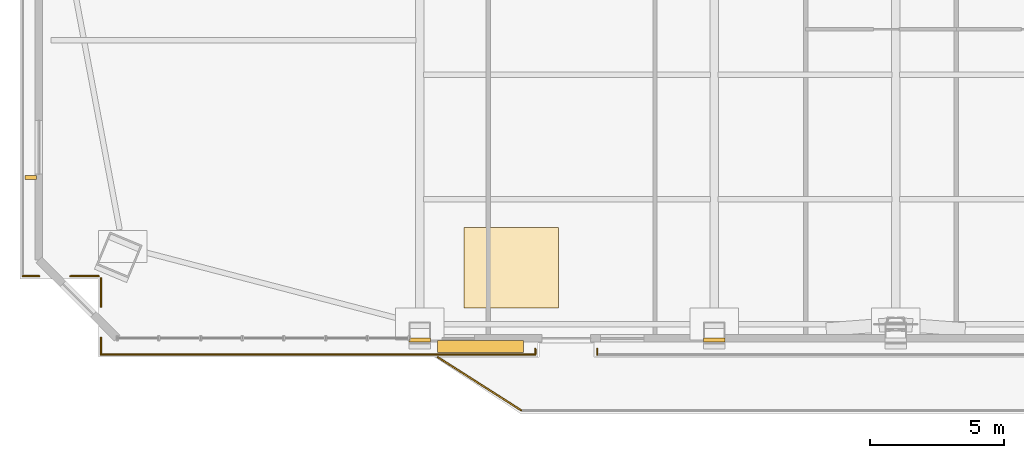
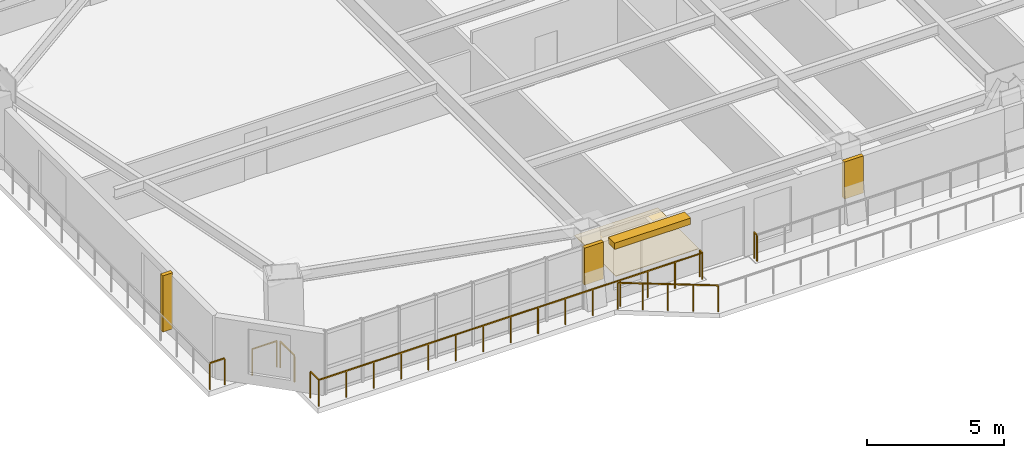
# One storey, part 12 of 16: 8 railings, 3 coverings, 2 shading devices.
"""IFC4 building model written with IfcOpenShell, lengths in metres."""

import ifcopenshell
import ifcopenshell.guid

model = None  # the IFC model being written
_history = None  # IfcOwnerHistory: only IFC2X3 demands one
_inside = {}  # id of a spatial element -> (the spatial element, [elements in it])
_under = {}  # id of a project, library or spatial element -> (it, [spatial elements below it])
_declared = {}  # id of a project -> (the project, [libraries it declares])
_typed = {}  # id of a type object -> (the type object, [elements of that type])
_made_of = {}  # id of a material, layer set ... -> (it, [elements and type objects made of it])


def new_model(schema):
    """Start an empty IFC model of exactly this schema.

    Asked for "IFC4X3", IfcOpenShell would pick the latest addendum, in which some entities
    have other attributes; the version numbers below select the first issue.
    IFC2X3 requires an IfcOwnerHistory on every rooted entity: one is made here for all.
    """
    global model, _history
    if schema == "IFC4X3":
        model = ifcopenshell.file(schema_version=(4, 3, 0, 0))
    else:
        model = ifcopenshell.file(schema=schema)
    _inside.clear()
    _under.clear()
    _declared.clear()
    _typed.clear()
    _made_of.clear()
    _history = None
    if model.schema == "IFC2X3":
        org = make("IfcOrganization", Name="unknown")
        user = make(
            "IfcPersonAndOrganization",
            ThePerson=make("IfcPerson", FamilyName="unknown"),
            TheOrganization=org,
        )
        app = make(
            "IfcApplication",
            ApplicationDeveloper=org,
            Version="unknown",
            ApplicationFullName="unknown",
            ApplicationIdentifier="unknown",
        )
        _history = make(
            "IfcOwnerHistory",
            OwningUser=user,
            OwningApplication=app,
            ChangeAction="ADDED",
            CreationDate=0,
        )
    return model


def make(cls, **values):
    """One entity of the class cls with the attributes given. An attribute that is None is left unset."""
    return model.create_entity(
        cls, **{name: value for name, value in values.items() if value is not None}
    )


def rooted(cls, **values):
    """An entity with a GlobalId (a new one), such as an element, a storey or a relation."""
    return make(cls, GlobalId=ifcopenshell.guid.new(), OwnerHistory=_history, **values)


def si_unit(unit_type, name, prefix=None):
    """IfcSIUnit, for example si_unit("LENGTHUNIT", "METRE", prefix="MILLI")."""
    return make("IfcSIUnit", UnitType=unit_type, Prefix=prefix, Name=name)


def assignment(units):
    """IfcUnitAssignment: the units of a project."""
    return None if units is None else make("IfcUnitAssignment", Units=units)


def point(xyz):
    """IfcCartesianPoint."""
    return None if xyz is None else make("IfcCartesianPoint", Coordinates=xyz)


def direction(xyz):
    """IfcDirection."""
    return None if xyz is None else make("IfcDirection", DirectionRatios=xyz)


def frame(location, z_axis=None, x_axis=None):
    """IfcAxis2Placement3D, a coordinate frame: its origin and axes. An axis left out is left unset."""
    return make(
        "IfcAxis2Placement3D",
        Location=point(location),
        Axis=direction(z_axis),
        RefDirection=direction(x_axis),
    )


def frame_2d(location, x_axis=None):
    """IfcAxis2Placement2D, a coordinate frame in the plane: its origin and x axis."""
    return make(
        "IfcAxis2Placement2D", Location=point(location), RefDirection=direction(x_axis)
    )


def origin():
    """The frame at (0, 0, 0) with its axes left unset."""
    return frame((0.0, 0.0, 0.0))


def origin_2d():
    """The frame at (0, 0) in the plane with its x axis left unset."""
    return frame_2d((0.0, 0.0))


def place(relative_to, where):
    """IfcLocalPlacement: puts the frame where relative to a parent placement (None: the world)."""
    return make(
        "IfcLocalPlacement", PlacementRelTo=relative_to, RelativePlacement=where
    )


def context(
    kind, dimensions, precision=None, world=None, true_north=None, identifier=None
):
    """IfcGeometricRepresentationContext, for example the 3D "Model" context."""
    return make(
        "IfcGeometricRepresentationContext",
        ContextIdentifier=identifier,
        ContextType=kind,
        CoordinateSpaceDimension=dimensions,
        Precision=precision,
        WorldCoordinateSystem=world,
        TrueNorth=true_north,
    )


def subcontext(parent, identifier, kind, view, scale=None):
    """IfcGeometricRepresentationSubContext, for example "Body" below "Model"."""
    return make(
        "IfcGeometricRepresentationSubContext",
        ContextIdentifier=identifier,
        ContextType=kind,
        ParentContext=parent,
        TargetScale=scale,
        TargetView=view,
    )


def project(units=None, contexts=None):
    """IfcProject with its units and contexts."""
    return rooted(
        "IfcProject",
        Name="project",
        RepresentationContexts=contexts,
        UnitsInContext=assignment(units),
    )


def spatial(cls, under=None, at=None, **own):
    """A site, building, storey or space (cls), placed at a placement, below another one or the project."""
    s = rooted(cls, ObjectPlacement=at, **own)
    if under is not None:
        _under.setdefault(under.id(), (under, []))[1].append(s)
    return s


def polyline(points):
    """IfcPolyline through the points."""
    return make("IfcPolyline", Points=[point(p) for p in points])


def profile(cls, at=None, kind="AREA", **sizes):
    """A parametric profile (cls). Its sizes go by their IFC names, for example OverallWidth=200.0."""
    return make(cls, ProfileType=kind, Position=at, **sizes)


def rectangle(**sizes):
    """IfcRectangleProfileDef."""
    return profile("IfcRectangleProfileDef", **sizes)


def outline(outer, holes=None, kind="AREA"):
    """IfcArbitraryClosedProfileDef: a profile drawn as a closed curve; with holes, ...WithVoids."""
    if holes is None:
        return make("IfcArbitraryClosedProfileDef", ProfileType=kind, OuterCurve=outer)
    return make(
        "IfcArbitraryProfileDefWithVoids",
        ProfileType=kind,
        OuterCurve=outer,
        InnerCurves=holes,
    )


def extrude(swept, where, along, depth):
    """IfcExtrudedAreaSolid: the profile swept, set in the frame where, extruded along a direction by depth."""
    return make(
        "IfcExtrudedAreaSolid",
        SweptArea=swept,
        Position=where,
        ExtrudedDirection=direction(along),
        Depth=depth,
    )


def shape(context_of_items, identifier, shape_type, items):
    """IfcShapeRepresentation: the items that make up one representation, for example the "Body"."""
    return make(
        "IfcShapeRepresentation",
        ContextOfItems=context_of_items,
        RepresentationIdentifier=identifier,
        RepresentationType=shape_type,
        Items=items,
    )


def source(mapping_origin, context_of_items, identifier, shape_type, items):
    """IfcRepresentationMap: a shape defined once, which mapped items show again and again."""
    return make(
        "IfcRepresentationMap",
        MappingOrigin=mapping_origin,
        MappedRepresentation=shape(context_of_items, identifier, shape_type, items),
    )


def transform(
    local_origin,
    x_axis=None,
    y_axis=None,
    z_axis=None,
    scale=None,
    scale2=None,
    scale3=None,
    uniform=True,
):
    """IfcCartesianTransformationOperator3D, or its non-uniform kind. x_axis, y_axis, z_axis: its Axis1, 2, 3."""
    if uniform:
        return make(
            "IfcCartesianTransformationOperator3D",
            Axis1=direction(x_axis),
            Axis2=direction(y_axis),
            LocalOrigin=point(local_origin),
            Scale=scale,
            Axis3=direction(z_axis),
        )
    return make(
        "IfcCartesianTransformationOperator3DnonUniform",
        Axis1=direction(x_axis),
        Axis2=direction(y_axis),
        LocalOrigin=point(local_origin),
        Scale=scale,
        Axis3=direction(z_axis),
        Scale2=scale2,
        Scale3=scale3,
    )


def mapped(mapping_source, mapping_target):
    """IfcMappedItem: shows the shape of a source again, moved by a transform."""
    return make(
        "IfcMappedItem", MappingSource=mapping_source, MappingTarget=mapping_target
    )


def material(Name=None, Category=None):
    """IfcMaterial."""
    return make("IfcMaterial", Name=Name, Category=Category)


def layer(
    of_material, thickness, ventilated=None, Name=None, Category=None, Priority=None
):
    """IfcMaterialLayer: one layer of a wall or slab, of a material (None: an air gap)."""
    return make(
        "IfcMaterialLayer",
        Material=of_material,
        LayerThickness=thickness,
        IsVentilated=ventilated,
        Name=Name,
        Category=Category,
        Priority=Priority,
    )


def layer_set(layers, Name=None):
    """IfcMaterialLayerSet."""
    return make("IfcMaterialLayerSet", MaterialLayers=layers, LayerSetName=Name)


def made_of(thing, what):
    """Note that an element or type object is made of a material, layer set ...; save() writes the relation."""
    if what is not None:
        _made_of.setdefault(what.id(), (what, []))[1].append(thing)
    return thing


def type_object(cls, material=None, **own):
    """A type object (cls), such as IfcWallType, which elements share."""
    return made_of(rooted(cls, **own), material)


def element(
    cls,
    number,
    at=None,
    inside=None,
    cuts=None,
    type_object=None,
    material=None,
    context=None,
    identifier="Body",
    shape_type=None,
    held_by="IfcProductDefinitionShape",
    body=None,
    shapes=None,
    **own,
):
    """One element of the class cls, such as IfcWall. Its Tag is "e" and its number.

    at: its placement. inside: the storey or other place that contains it. cuts: it is an
    opening in that element (IfcRelVoidsElement). A single representation is given by context,
    identifier, shape_type and body (its items); several are given by shapes. held_by: the class
    of the entity that holds the representations. save() writes the other relations.
    """
    e = rooted(cls, Tag="e%d" % number, ObjectPlacement=at, **own)
    if body is not None:
        shapes = [shape(context, identifier, shape_type, body)]
    if shapes is not None:
        e.Representation = make(held_by, Representations=shapes)
    if inside is not None:
        _inside.setdefault(inside.id(), (inside, []))[1].append(e)
    if cuts is not None:
        rooted(
            "IfcRelVoidsElement", RelatingBuildingElement=cuts, RelatedOpeningElement=e
        )
    if type_object is not None:
        _typed.setdefault(type_object.id(), (type_object, []))[1].append(e)
    return made_of(e, material)


def aggregate(whole, parts):
    """IfcRelAggregates: a whole, such as a stair, and the parts it consists of."""
    return rooted("IfcRelAggregates", RelatingObject=whole, RelatedObjects=parts)


def save(model, path):
    """Write the relations noted so far, then the file.

    IfcRelAggregates (storeys below a building ...), IfcRelContainedInSpatialStructure (elements
    in a storey), IfcRelDefinesByType, IfcRelAssociatesMaterial and IfcRelDeclares: one each for
    every whole, place, type object, material and project.
    """
    for whole, parts in _under.values():
        aggregate(whole, parts)
    for where, things in _inside.values():
        rooted(
            "IfcRelContainedInSpatialStructure",
            RelatedElements=things,
            RelatingStructure=where,
        )
    for kind, things in _typed.values():
        rooted("IfcRelDefinesByType", RelatedObjects=things, RelatingType=kind)
    for what, things in _made_of.values():
        rooted("IfcRelAssociatesMaterial", RelatedObjects=things, RelatingMaterial=what)
    for by, libraries in _declared.values():
        rooted("IfcRelDeclares", RelatingContext=by, RelatedDefinitions=libraries)
    model.write(path)


model = new_model("IFC4")

# Units and contexts
model_context = context("Model", 3, precision=1e-05, world=origin(), true_north=direction((0.0, 1.0)))
body_context = subcontext(model_context, "Body", "Model", "MODEL_VIEW")
ifc_project = project(units=[si_unit("LENGTHUNIT", "METRE"), si_unit("AREAUNIT", "SQUARE_METRE"), si_unit("VOLUMEUNIT", "CUBIC_METRE"), si_unit("PLANEANGLEUNIT", "RADIAN"), si_unit("MASSUNIT", "GRAM", prefix="KILO")], contexts=[model_context])

# Site, building, storey
site_placement = place(None, origin())
site = spatial("IfcSite", under=ifc_project, at=site_placement, CompositionType="ELEMENT")
building_placement = place(site_placement, origin())
building = spatial("IfcBuilding", under=site, at=building_placement, Name="Giltprow Tower", CompositionType="ELEMENT")
storey_placement = place(building_placement, frame((0.0, 0.0, 166.699951171875)))
storey = spatial("IfcBuildingStorey", under=building, at=storey_placement, Name="L41", CompositionType="ELEMENT", Elevation=166.699951171875)

# Coverings
ifc_material_1 = material(Name="Engineered oak", Category="wood")
ifc_layer_1 = layer(ifc_material_1, 0.02490234375, Name="Engineered oak")
ifc_layer_set_1 = layer_set([ifc_layer_1], Name="Engineered oak")
covering_type_1 = type_object("IfcCoveringType", Name="COV-FLR-TIMBER", PredefinedType="FLOORING", material=ifc_layer_set_1)
covering_1_placement = place(storey_placement, origin())
element("IfcCovering", 1, at=covering_1_placement, inside=storey, type_object=covering_type_1, Name="L41 Engineered Oak Guestroom Flooring", PredefinedType="FLOORING", context=body_context, shape_type="SweptSolid", body=[
    extrude(outline(polyline([(21.5, 10.22607421875), (25.0, 10.22607421875), (25.0, 13.22607421875), (21.5, 13.22607421875), (21.5, 10.22607421875)])), origin(), (0.0, 0.0, 1.0), 0.025146484375),
])
ifc_material_2 = material(Name="Anodized bronze", Category="metal")
ifc_layer_2 = layer(ifc_material_2, 0.0400390625, Name="Anodized bronze")
ifc_layer_set_2 = layer_set([ifc_layer_2], Name="Anodized bronze")
covering_type_2 = type_object("IfcCoveringType", Name="COV-SOFFIT-BRONZE", PredefinedType="CLADDING", material=ifc_layer_set_2)
covering_2_placement = place(storey_placement, frame((0.0, 0.0, 1.10009765625)))
element("IfcCovering", 2, at=covering_2_placement, inside=storey, type_object=covering_type_2, Name="L41 Setback Pier Closure Cladding S-1", PredefinedType="CLADDING", context=body_context, shape_type="SweptSolid", body=[
    extrude(outline(polyline([(19.449951171875, 8.9580078125), (20.25, 8.9580078125), (20.25, 9.117919921875), (19.449951171875, 9.117919921875), (19.449951171875, 8.9580078125)])), origin(), (0.0, 0.0, 1.0), 1.64990234375),
])
covering_3_placement = place(storey_placement, frame((0.0, 0.0, 1.10009765625)))
element("IfcCovering", 3, at=covering_3_placement, inside=storey, type_object=covering_type_2, Name="L41 Setback Pier Closure Cladding S-2", PredefinedType="CLADDING", context=body_context, shape_type="SweptSolid", body=[
    extrude(outline(polyline([(30.39990234375, 8.9580078125), (31.199951171875, 8.9580078125), (31.199951171875, 9.117919921875), (30.39990234375, 9.117919921875), (30.39990234375, 8.9580078125)])), origin(), (0.0, 0.0, 1.0), 1.64990234375),
])

# Railings
railing_type = type_object("IfcRailingType", Name="RAIL-BALC-GUARD-1200", PredefinedType="BALUSTRADE", material=ifc_material_2)
railing_1_placement = place(storey_placement, frame((20.52001953125, 8.39794921875, 0.0)))
element("IfcRailing", 4, at=railing_1_placement, inside=storey, type_object=railing_type, Name="L41 Waterfront Balcony Balustrade Seg 1", PredefinedType="BALUSTRADE", context=body_context, shape_type="SweptSolid", body=[
    extrude(rectangle(XDim=0.048095703125, YDim=0.048095703125, at=origin_2d()), frame((0.0, 0.0, 1.17578125), z_axis=(0.84277487735, -0.538266203757, 0.0), x_axis=(0.538266203757, 0.84277487735, 0.0)), (0.0, 0.0, 1.0), 3.678466796875),
    extrude(rectangle(XDim=0.0419921875, YDim=0.0419921875, at=origin_2d()), origin(), (0.0, 0.0, 1.0), 1.15185546875),
    extrude(rectangle(XDim=0.0419921875, YDim=0.0419921875, at=origin_2d()), frame((0.77490234375, -0.4951171875, 0.0)), (0.0, 0.0, 1.0), 1.15185546875),
    extrude(rectangle(XDim=0.0419921875, YDim=0.0419921875, at=origin_2d()), frame((1.550048828125, -0.989990234375, 0.0)), (0.0, 0.0, 1.0), 1.15185546875),
    extrude(rectangle(XDim=0.0419921875, YDim=0.0419921875, at=origin_2d()), frame((2.3251953125, -1.48486328125, 0.0)), (0.0, 0.0, 1.0), 1.15185546875),
    extrude(rectangle(XDim=0.0419921875, YDim=0.0419921875, at=origin_2d()), frame((3.10009765625, -1.97998046875, 0.0)), (0.0, 0.0, 1.0), 1.15185546875),
])
railing_2_placement = place(storey_placement, frame((7.9970703125, 8.498046875, 0.0)))
element("IfcRailing", 5, at=railing_2_placement, inside=storey, type_object=railing_type, Name="L41 Corner Apron Edge Balustrade 1", PredefinedType="BALUSTRADE", context=body_context, shape_type="SweptSolid", body=[
    extrude(rectangle(XDim=0.048095703125, YDim=0.048095703125, at=origin_2d()), frame((0.0, 0.0, 1.17578125), z_axis=(0.0, 1.0, 0.0), x_axis=(-1.0, 0.0, 0.0)), (0.0, 0.0, 1.0), 0.619873046875),
    extrude(rectangle(XDim=0.0419921875, YDim=0.0419921875, at=origin_2d()), origin(), (0.0, 0.0, 1.0), 1.15185546875),
    extrude(rectangle(XDim=0.0419921875, YDim=0.0419921875, at=origin_2d()), frame((0.0, 0.619873046875, 0.0)), (0.0, 0.0, 1.0), 1.15185546875),
])
railing_3_placement = place(storey_placement, frame((7.9970703125, 10.278076171875, 0.0)))
element("IfcRailing", 6, at=railing_3_placement, inside=storey, type_object=railing_type, Name="L41 Corner Apron Edge Balustrade 2", PredefinedType="BALUSTRADE", context=body_context, shape_type="SweptSolid", body=[
    extrude(rectangle(XDim=0.048095703125, YDim=0.048095703125, at=origin_2d()), frame((0.0, 0.0, 1.17578125), z_axis=(0.0, 1.0, 0.0), x_axis=(-1.0, 0.0, 0.0)), (0.0, 0.0, 1.0), 1.0478515625),
    extrude(rectangle(XDim=0.0419921875, YDim=0.0419921875, at=origin_2d()), origin(), (0.0, 0.0, 1.0), 1.15185546875),
    extrude(rectangle(XDim=0.0419921875, YDim=0.0419921875, at=origin_2d()), frame((0.0, 1.0478515625, 0.0)), (0.0, 0.0, 1.0), 1.15185546875),
])
railing_4_placement = place(storey_placement, frame((7.912109375, 11.410888671875, 0.0)))
element("IfcRailing", 7, at=railing_4_placement, inside=storey, type_object=railing_type, Name="L41 Corner Apron Edge Balustrade 3", PredefinedType="BALUSTRADE", context=body_context, shape_type="SweptSolid", body=[
    extrude(rectangle(XDim=0.048095703125, YDim=0.048095703125, at=origin_2d()), frame((0.0, 0.0, 1.17578125), z_axis=(-1.0, 0.0, 0.0), x_axis=(0.0, -1.0, 0.0)), (0.0, 0.0, 1.0), 1.048095703125),
    extrude(rectangle(XDim=0.0419921875, YDim=0.0419921875, at=origin_2d()), origin(), (0.0, 0.0, 1.0), 1.15185546875),
    extrude(rectangle(XDim=0.0419921875, YDim=0.0419921875, at=origin_2d()), frame((-1.048095703125, 0.0, 0.0)), (0.0, 0.0, 1.0), 1.15185546875),
])
railing_5_placement = place(storey_placement, frame((5.7041015625, 11.410888671875, 0.0)))
element("IfcRailing", 8, at=railing_5_placement, inside=storey, type_object=railing_type, Name="L41 Corner Apron Edge Balustrade 4", PredefinedType="BALUSTRADE", context=body_context, shape_type="SweptSolid", body=[
    extrude(rectangle(XDim=0.048095703125, YDim=0.048095703125, at=origin_2d()), frame((0.0, 0.0, 1.17578125), z_axis=(-1.0, 0.0, 0.0), x_axis=(0.0, -1.0, 0.0)), (0.0, 0.0, 1.0), 0.6201171875),
    extrude(rectangle(XDim=0.0419921875, YDim=0.0419921875, at=origin_2d()), origin(), (0.0, 0.0, 1.0), 1.15185546875),
    extrude(rectangle(XDim=0.0419921875, YDim=0.0419921875, at=origin_2d()), frame((-0.6201171875, 0.0, 0.0)), (0.0, 0.0, 1.0), 1.15185546875),
])
railing_6_placement = place(storey_placement, frame((26.449951171875, 8.498046875, 0.0)))
element("IfcRailing", 9, at=railing_6_placement, inside=storey, type_object=railing_type, Name="L41 Corner Apron Edge Balustrade 27", PredefinedType="BALUSTRADE", context=body_context, shape_type="SweptSolid", body=[
    extrude(rectangle(XDim=0.048095703125, YDim=0.048095703125, at=origin_2d()), frame((0.0, 0.0, 1.17578125), z_axis=(0.0, 1.0, 0.0), x_axis=(-1.0, 0.0, 0.0)), (0.0, 0.0, 1.0), 0.199951171875),
    extrude(rectangle(XDim=0.0419921875, YDim=0.0419921875, at=origin_2d()), origin(), (0.0, 0.0, 1.0), 1.15185546875),
    extrude(rectangle(XDim=0.0419921875, YDim=0.0419921875, at=origin_2d()), frame((0.0, 0.199951171875, 0.0)), (0.0, 0.0, 1.0), 1.15185546875),
])
railing_7_placement = place(storey_placement, frame((24.14990234375, 8.697998046875, 0.0)))
element("IfcRailing", 10, at=railing_7_placement, inside=storey, type_object=railing_type, Name="L41 Corner Apron Edge Balustrade 28", PredefinedType="BALUSTRADE", context=body_context, shape_type="SweptSolid", body=[
    extrude(rectangle(XDim=0.048095703125, YDim=0.048095703125, at=origin_2d()), frame((0.0, 0.0, 1.17578125), z_axis=(0.0, -1.0, 0.0), x_axis=(1.0, 0.0, 0.0)), (0.0, 0.0, 1.0), 0.199951171875),
    extrude(rectangle(XDim=0.0419921875, YDim=0.0419921875, at=origin_2d()), origin(), (0.0, 0.0, 1.0), 1.15185546875),
    extrude(rectangle(XDim=0.0419921875, YDim=0.0419921875, at=origin_2d()), frame((0.0, -0.199951171875, 0.0)), (0.0, 0.0, 1.0), 1.15185546875),
])
railing_8_placement = place(storey_placement, frame((24.14990234375, 8.498046875, 0.0)))
element("IfcRailing", 11, at=railing_8_placement, inside=storey, type_object=railing_type, Name="L41 Corner Apron Edge Balustrade 29", PredefinedType="BALUSTRADE", context=body_context, shape_type="SweptSolid", body=[
    extrude(rectangle(XDim=0.048095703125, YDim=0.048095703125, at=origin_2d()), frame((0.0, 0.0, 1.17578125), z_axis=(-1.0, 0.0, 0.0), x_axis=(0.0, -1.0, 0.0)), (0.0, 0.0, 1.0), 16.15283203125),
    extrude(rectangle(XDim=0.0419921875, YDim=0.0419921875, at=origin_2d()), origin(), (0.0, 0.0, 1.0), 1.15185546875),
    extrude(rectangle(XDim=0.0419921875, YDim=0.0419921875, at=origin_2d()), frame((-1.15380859375, 0.0, 0.0)), (0.0, 0.0, 1.0), 1.15185546875),
    extrude(rectangle(XDim=0.0419921875, YDim=0.0419921875, at=origin_2d()), frame((-2.3076171875, 0.0, 0.0)), (0.0, 0.0, 1.0), 1.15185546875),
    extrude(rectangle(XDim=0.0419921875, YDim=0.0419921875, at=origin_2d()), frame((-3.46142578125, 0.0, 0.0)), (0.0, 0.0, 1.0), 1.15185546875),
    extrude(rectangle(XDim=0.0419921875, YDim=0.0419921875, at=origin_2d()), frame((-4.614990234375, 0.0, 0.0)), (0.0, 0.0, 1.0), 1.15185546875),
    extrude(rectangle(XDim=0.0419921875, YDim=0.0419921875, at=origin_2d()), frame((-5.768798828125, 0.0, 0.0)), (0.0, 0.0, 1.0), 1.15185546875),
    extrude(rectangle(XDim=0.0419921875, YDim=0.0419921875, at=origin_2d()), frame((-6.922607421875, 0.0, 0.0)), (0.0, 0.0, 1.0), 1.15185546875),
    extrude(rectangle(XDim=0.0419921875, YDim=0.0419921875, at=origin_2d()), frame((-8.076416015625, 0.0, 0.0)), (0.0, 0.0, 1.0), 1.15185546875),
    extrude(rectangle(XDim=0.0419921875, YDim=0.0419921875, at=origin_2d()), frame((-9.230224609375, 0.0, 0.0)), (0.0, 0.0, 1.0), 1.15185546875),
    extrude(rectangle(XDim=0.0419921875, YDim=0.0419921875, at=origin_2d()), frame((-10.384033203125, 0.0, 0.0)), (0.0, 0.0, 1.0), 1.15185546875),
    extrude(rectangle(XDim=0.0419921875, YDim=0.0419921875, at=origin_2d()), frame((-11.537841796875, 0.0, 0.0)), (0.0, 0.0, 1.0), 1.15185546875),
    extrude(rectangle(XDim=0.0419921875, YDim=0.0419921875, at=origin_2d()), frame((-12.69140625, 0.0, 0.0)), (0.0, 0.0, 1.0), 1.15185546875),
    extrude(rectangle(XDim=0.0419921875, YDim=0.0419921875, at=origin_2d()), frame((-13.84521484375, 0.0, 0.0)), (0.0, 0.0, 1.0), 1.15185546875),
    extrude(rectangle(XDim=0.0419921875, YDim=0.0419921875, at=origin_2d()), frame((-14.9990234375, 0.0, 0.0)), (0.0, 0.0, 1.0), 1.15185546875),
    extrude(rectangle(XDim=0.0419921875, YDim=0.0419921875, at=origin_2d()), frame((-16.15283203125, 0.0, 0.0)), (0.0, 0.0, 1.0), 1.15185546875),
])

# Shading devices
shading_device_type_1 = type_object("IfcShadingDeviceType", Name="SHD-FIN-420", PredefinedType="USERDEFINED", material=ifc_material_2)
shared_shape_1 = source(origin(), body_context, "Body", "SweptSolid", [
    extrude(rectangle(XDim=0.419921875, YDim=0.159912109375, at=origin_2d()), origin(), (0.0, 0.0, 1.0), 2.5),
])
shading_device_1_placement = place(storey_placement, frame((5.384033203125, 15.080078125, 0.35009765625), z_axis=(0.0, 0.0, 1.0), x_axis=(1.0, 0.0, 0.0)))
element("IfcShadingDevice", 12, at=shading_device_1_placement, inside=storey, type_object=shading_device_type_1, Name="L41 W Bronze Vertical Fin 1-1", ObjectType="FIN", PredefinedType="USERDEFINED", context=body_context, shape_type="MappedRepresentation", body=[
    mapped(shared_shape_1, transform((0.0, 0.0, 0.0), x_axis=(1.0, 0.0, 0.0), y_axis=(0.0, 1.0, 0.0), z_axis=(0.0, 0.0, 1.0), scale=1.0)),
])
shading_device_type_2 = type_object("IfcShadingDeviceType", Name="SHD-LOUVRE-320", PredefinedType="JALOUSIE", material=ifc_material_2)
shared_shape_2 = source(origin(), body_context, "Body", "SweptSolid", [
    extrude(rectangle(XDim=3.199951171875, YDim=0.449951171875, at=origin_2d()), origin(), (0.0, 0.0, 1.0), 0.280029296875),
])
shading_device_2_placement = place(storey_placement, frame((22.10009765625, 8.798095703125, 2.56005859375), z_axis=(0.0, 0.0, 1.0), x_axis=(1.0, 0.0, 0.0)))
element("IfcShadingDevice", 13, at=shading_device_2_placement, inside=storey, type_object=shading_device_type_2, Name="L41 Bronze Sunshade Louvre S-2", PredefinedType="JALOUSIE", context=body_context, shape_type="MappedRepresentation", body=[
    mapped(shared_shape_2, transform((0.0, 0.0, 0.0), x_axis=(1.0, 0.0, 0.0), y_axis=(0.0, 1.0, 0.0), z_axis=(0.0, 0.0, 1.0), scale=1.0)),
])

save(model, "model.ifc")
